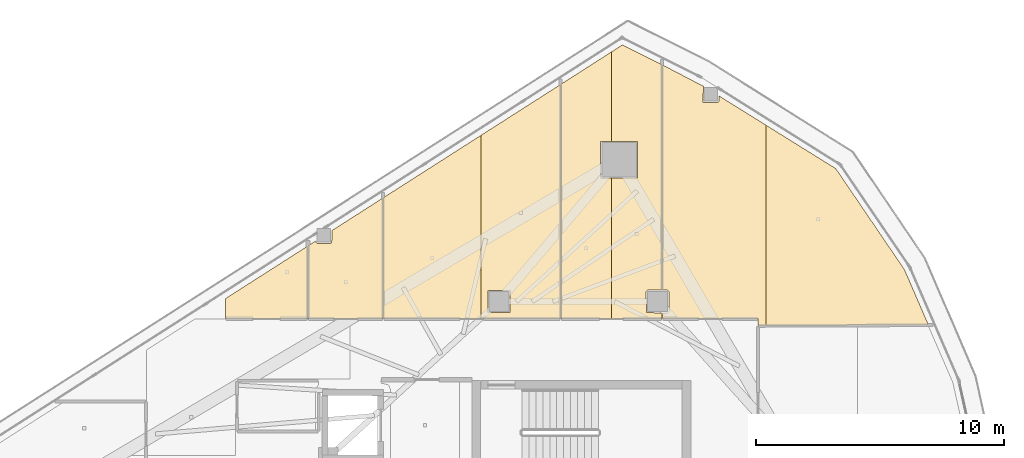
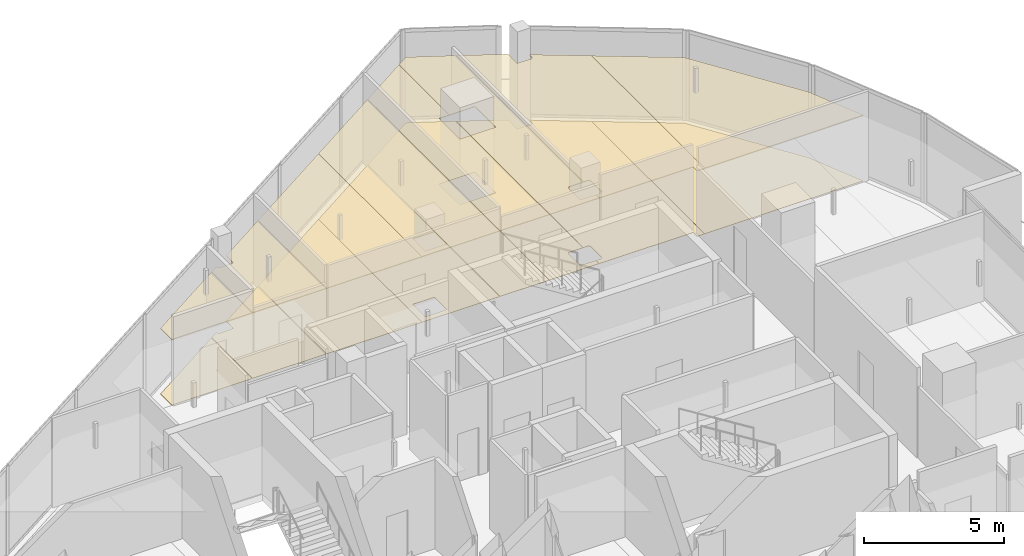
# One storey, part 25 of 25: 16 coverings.
"""IFC4 building model written with IfcOpenShell, lengths in metres."""

from ifc_helpers import new_model, si_unit, direction, frame, origin, place, context, subcontext, project, spatial, polyline, outline, extrude, material, layer, layer_set, type_object, element, save


model = new_model("IFC4")

# Units and contexts
model_context = context("Model", 3, precision=1e-05, world=origin(), true_north=direction((0.0, 1.0)))
body_context = subcontext(model_context, "Body", "Model", "MODEL_VIEW")
ifc_project = project(units=[si_unit("LENGTHUNIT", "METRE"), si_unit("AREAUNIT", "SQUARE_METRE"), si_unit("VOLUMEUNIT", "CUBIC_METRE"), si_unit("PLANEANGLEUNIT", "RADIAN"), si_unit("MASSUNIT", "GRAM", prefix="KILO")], contexts=[model_context])

# Site, building, storey
site_placement = place(None, origin())
site = spatial("IfcSite", under=ifc_project, at=site_placement, CompositionType="ELEMENT")
building_placement = place(site_placement, origin())
building = spatial("IfcBuilding", under=site, at=building_placement, Name="Qorvath Tower", CompositionType="ELEMENT")
storey_placement = place(building_placement, frame((0.0, 0.0, 306.0)))
storey = spatial("IfcBuildingStorey", under=building, at=storey_placement, Name="L71", CompositionType="ELEMENT", Elevation=306.0)

# Coverings
ifc_material_1 = material(Name="Acoustic mineral fibre ceiling tile", Category="gypsum")
ifc_layer_1 = layer(ifc_material_1, 0.030029296875)
ifc_layer_set_1 = layer_set([ifc_layer_1], Name="COV-CEIL")
covering_type_1 = type_object("IfcCoveringType", Name="COV-CEIL", PredefinedType="CEILING", material=ifc_layer_set_1)
covering_1_placement = place(storey_placement, frame((0.0, 0.0, 2.85009765625)))
element("IfcCovering", 1, at=covering_1_placement, inside=storey, type_object=covering_type_1, Name="L71 Suspended Acoustic Ceiling 014", PredefinedType="CEILING", context=body_context, shape_type="SweptSolid", body=[
    extrude(outline(polyline([(-31.329345703125, 13.691162109375), (-34.64501953125, 11.572021484375), (-34.64501953125, 10.762939453125), (-31.329345703125, 10.762939453125), (-31.329345703125, 13.691162109375)])), origin(), (0.0, 0.0, 1.0), 0.030029296875),
])
covering_2_placement = place(storey_placement, frame((0.0, 0.0, 2.85009765625)))
element("IfcCovering", 2, at=covering_2_placement, inside=storey, type_object=covering_type_1, Name="L71 Suspended Acoustic Ceiling 015", PredefinedType="CEILING", context=body_context, shape_type="SweptSolid", body=[
    extrude(outline(polyline([(-28.283447265625, 15.637939453125), (-30.34228515625, 14.322021484375), (-30.35986328125, 13.806884765625), (-30.9521484375, 13.789306640625), (-31.01220703125, 13.893798828125), (-31.311279296875, 13.70263671875), (-31.311279296875, 10.762939453125), (-28.283447265625, 10.762939453125), (-28.283447265625, 15.637939453125)])), origin(), (0.0, 0.0, 1.0), 0.030029296875),
])
covering_3_placement = place(storey_placement, frame((0.0, 0.0, 2.85009765625)))
element("IfcCovering", 3, at=covering_3_placement, inside=storey, type_object=covering_type_1, Name="L71 Suspended Acoustic Ceiling 016", PredefinedType="CEILING", context=body_context, shape_type="SweptSolid", body=[
    extrude(outline(polyline([(-24.324462890625, 10.762939453125), (-24.324462890625, 18.1669921875), (-28.265380859375, 15.6494140625), (-28.265380859375, 10.762939453125), (-24.324462890625, 10.762939453125)])), origin(), (0.0, 0.0, 1.0), 0.030029296875),
])
covering_4_placement = place(storey_placement, frame((0.0, 0.0, 2.85009765625)))
element("IfcCovering", 4, at=covering_4_placement, inside=storey, type_object=covering_type_1, Name="L71 Suspended Acoustic Ceiling 017", PredefinedType="CEILING", context=body_context, shape_type="SweptSolid", body=[
    extrude(outline(polyline([(-21.11865234375, 10.762939453125), (-21.12109375, 20.213623046875), (-24.324462890625, 18.1669921875), (-24.324462890625, 10.762939453125), (-21.11865234375, 10.762939453125)]), holes=[polyline([(-24.04248046875, 11.007568359375), (-24.04248046875, 11.892333984375), (-23.157470703125, 11.892333984375), (-23.157470703125, 11.007568359375), (-24.04248046875, 11.007568359375)])]), origin(), (0.0, 0.0, 1.0), 0.030029296875),
])
covering_5_placement = place(storey_placement, frame((0.0, 0.0, 2.85009765625)))
element("IfcCovering", 5, at=covering_5_placement, inside=storey, type_object=covering_type_1, Name="L71 Suspended Acoustic Ceiling 018", PredefinedType="CEILING", context=body_context, shape_type="SweptSolid", body=[
    extrude(outline(polyline([(-19.06591796875, 10.762939453125), (-19.06591796875, 16.43310546875), (-19.492919921875, 16.43310546875), (-19.492919921875, 17.91796875), (-19.06591796875, 17.91796875), (-19.06591796875, 21.529052734375), (-21.10302734375, 20.22705078125), (-21.1005859375, 10.762939453125), (-19.06591796875, 10.762939453125)])), origin(), (0.0, 0.0, 1.0), 0.030029296875),
])
covering_6_placement = place(storey_placement, frame((0.0, 0.0, 2.85009765625)))
element("IfcCovering", 6, at=covering_6_placement, inside=storey, type_object=covering_type_1, Name="L71 Suspended Acoustic Ceiling 019", PredefinedType="CEILING", context=body_context, shape_type="SweptSolid", body=[
    extrude(outline(polyline([(-17.60009765625, 11.909912109375), (-17.01806640625, 11.909912109375), (-17.01806640625, 21.019287109375), (-18.614501953125, 21.817626953125), (-19.06591796875, 21.529052734375), (-19.06591796875, 17.91796875), (-18.008056640625, 17.91796875), (-18.008056640625, 16.43310546875), (-19.06591796875, 16.43310546875), (-19.06591796875, 10.762939453125), (-17.01806640625, 10.762939453125), (-17.01806640625, 10.989990234375), (-17.642333984375, 11.007568359375), (-17.659912109375, 11.85009765625), (-17.60009765625, 11.909912109375)])), origin(), (0.0, 0.0, 1.0), 0.030029296875),
])
covering_7_placement = place(storey_placement, frame((0.0, 0.0, 2.85009765625)))
element("IfcCovering", 7, at=covering_7_placement, inside=storey, type_object=covering_type_1, Name="L71 Suspended Acoustic Ceiling 020", PredefinedType="CEILING", context=body_context, shape_type="SweptSolid", body=[
    extrude(outline(polyline([(-13.136962890625, 10.758056640625), (-13.136962890625, 10.4794921875), (-12.819580078125, 10.480712890625), (-12.819580078125, 18.576416015625), (-14.711181640625, 19.75341796875), (-14.711181640625, 19.543212890625), (-14.77099609375, 19.483154296875), (-15.363525390625, 19.500732421875), (-15.342529296875, 20.144287109375), (-17.0, 21.01025390625), (-17.0, 11.909912109375), (-16.800048828125, 11.909912109375), (-16.739990234375, 11.85009765625), (-16.739990234375, 11.050048828125), (-16.800048828125, 10.989990234375), (-17.0, 10.989990234375), (-17.0, 10.762939453125), (-13.136962890625, 10.758056640625)])), origin(), (0.0, 0.0, 1.0), 0.030029296875),
])
covering_8_placement = place(storey_placement, frame((0.0, 0.0, 2.85009765625)))
element("IfcCovering", 8, at=covering_8_placement, inside=storey, type_object=covering_type_1, Name="L71 Suspended Acoustic Ceiling 021", PredefinedType="CEILING", context=body_context, shape_type="SweptSolid", body=[
    extrude(outline(polyline([(-12.819580078125, 18.576416015625), (-12.819580078125, 10.480712890625), (-6.255859375, 10.50732421875), (-7.22412109375, 12.740966796875), (-9.996826171875, 16.81982421875), (-12.819580078125, 18.576416015625)])), origin(), (0.0, 0.0, 1.0), 0.030029296875),
])
ifc_material_2 = material(Name="Low-VOC modular carpet tile", Category="textile")
ifc_layer_2 = layer(ifc_material_2, 0.014892578125)
ifc_layer_set_2 = layer_set([ifc_layer_2], Name="COV-FLOOR-CPT")
covering_type_2 = type_object("IfcCoveringType", Name="COV-FLOOR-CPT", PredefinedType="FLOORING", material=ifc_layer_set_2)
covering_9_placement = place(storey_placement, origin())
element("IfcCovering", 9, at=covering_9_placement, inside=storey, type_object=covering_type_2, Name="L71 Floor Finish 014", PredefinedType="FLOORING", context=body_context, shape_type="SweptSolid", body=[
    extrude(outline(polyline([(-31.329345703125, 13.691162109375), (-34.64501953125, 11.572021484375), (-34.64501953125, 10.762939453125), (-31.329345703125, 10.762939453125), (-31.329345703125, 13.691162109375)])), origin(), (0.0, 0.0, 1.0), 0.014892578125),
])
covering_10_placement = place(storey_placement, origin())
element("IfcCovering", 10, at=covering_10_placement, inside=storey, type_object=covering_type_2, Name="L71 Floor Finish 015", PredefinedType="FLOORING", context=body_context, shape_type="SweptSolid", body=[
    extrude(outline(polyline([(-28.283447265625, 15.637939453125), (-30.34228515625, 14.322021484375), (-30.35986328125, 13.806884765625), (-30.9521484375, 13.789306640625), (-31.01220703125, 13.893798828125), (-31.311279296875, 13.70263671875), (-31.311279296875, 10.762939453125), (-28.283447265625, 10.762939453125), (-28.283447265625, 15.637939453125)])), origin(), (0.0, 0.0, 1.0), 0.014892578125),
])
covering_11_placement = place(storey_placement, origin())
element("IfcCovering", 11, at=covering_11_placement, inside=storey, type_object=covering_type_2, Name="L71 Floor Finish 016", PredefinedType="FLOORING", context=body_context, shape_type="SweptSolid", body=[
    extrude(outline(polyline([(-24.324462890625, 10.762939453125), (-24.324462890625, 18.1669921875), (-28.265380859375, 15.6494140625), (-28.265380859375, 10.762939453125), (-24.324462890625, 10.762939453125)])), origin(), (0.0, 0.0, 1.0), 0.014892578125),
])
covering_12_placement = place(storey_placement, origin())
element("IfcCovering", 12, at=covering_12_placement, inside=storey, type_object=covering_type_2, Name="L71 Floor Finish 017", PredefinedType="FLOORING", context=body_context, shape_type="SweptSolid", body=[
    extrude(outline(polyline([(-21.11865234375, 10.762939453125), (-21.12109375, 20.213623046875), (-24.324462890625, 18.1669921875), (-24.324462890625, 10.762939453125), (-21.11865234375, 10.762939453125)]), holes=[polyline([(-24.04248046875, 11.007568359375), (-24.04248046875, 11.892333984375), (-23.157470703125, 11.892333984375), (-23.157470703125, 11.007568359375), (-24.04248046875, 11.007568359375)])]), origin(), (0.0, 0.0, 1.0), 0.014892578125),
])
covering_13_placement = place(storey_placement, origin())
element("IfcCovering", 13, at=covering_13_placement, inside=storey, type_object=covering_type_2, Name="L71 Floor Finish 018", PredefinedType="FLOORING", context=body_context, shape_type="SweptSolid", body=[
    extrude(outline(polyline([(-19.06591796875, 10.762939453125), (-19.06591796875, 16.43310546875), (-19.492919921875, 16.43310546875), (-19.492919921875, 17.91796875), (-19.06591796875, 17.91796875), (-19.06591796875, 21.529052734375), (-21.10302734375, 20.22705078125), (-21.1005859375, 10.762939453125), (-19.06591796875, 10.762939453125)])), origin(), (0.0, 0.0, 1.0), 0.014892578125),
])
covering_14_placement = place(storey_placement, origin())
element("IfcCovering", 14, at=covering_14_placement, inside=storey, type_object=covering_type_2, Name="L71 Floor Finish 019", PredefinedType="FLOORING", context=body_context, shape_type="SweptSolid", body=[
    extrude(outline(polyline([(-17.60009765625, 11.909912109375), (-17.01806640625, 11.909912109375), (-17.01806640625, 21.019287109375), (-18.614501953125, 21.817626953125), (-19.06591796875, 21.529052734375), (-19.06591796875, 17.91796875), (-18.008056640625, 17.91796875), (-18.008056640625, 16.43310546875), (-19.06591796875, 16.43310546875), (-19.06591796875, 10.762939453125), (-17.01806640625, 10.762939453125), (-17.01806640625, 10.989990234375), (-17.642333984375, 11.007568359375), (-17.659912109375, 11.85009765625), (-17.60009765625, 11.909912109375)])), origin(), (0.0, 0.0, 1.0), 0.014892578125),
])
covering_15_placement = place(storey_placement, origin())
element("IfcCovering", 15, at=covering_15_placement, inside=storey, type_object=covering_type_2, Name="L71 Floor Finish 020", PredefinedType="FLOORING", context=body_context, shape_type="SweptSolid", body=[
    extrude(outline(polyline([(-13.136962890625, 10.758056640625), (-13.136962890625, 10.4794921875), (-12.819580078125, 10.480712890625), (-12.819580078125, 18.576416015625), (-14.711181640625, 19.75341796875), (-14.711181640625, 19.543212890625), (-14.77099609375, 19.483154296875), (-15.363525390625, 19.500732421875), (-15.342529296875, 20.144287109375), (-17.0, 21.01025390625), (-17.0, 11.909912109375), (-16.800048828125, 11.909912109375), (-16.739990234375, 11.85009765625), (-16.739990234375, 11.050048828125), (-16.800048828125, 10.989990234375), (-17.0, 10.989990234375), (-17.0, 10.762939453125), (-13.136962890625, 10.758056640625)])), origin(), (0.0, 0.0, 1.0), 0.014892578125),
])
covering_16_placement = place(storey_placement, origin())
element("IfcCovering", 16, at=covering_16_placement, inside=storey, type_object=covering_type_2, Name="L71 Floor Finish 021", PredefinedType="FLOORING", context=body_context, shape_type="SweptSolid", body=[
    extrude(outline(polyline([(-12.819580078125, 18.576416015625), (-12.819580078125, 10.480712890625), (-6.255859375, 10.50732421875), (-7.22412109375, 12.740966796875), (-9.996826171875, 16.81982421875), (-12.819580078125, 18.576416015625)])), origin(), (0.0, 0.0, 1.0), 0.014892578125),
])

save(model, "model.ifc")
